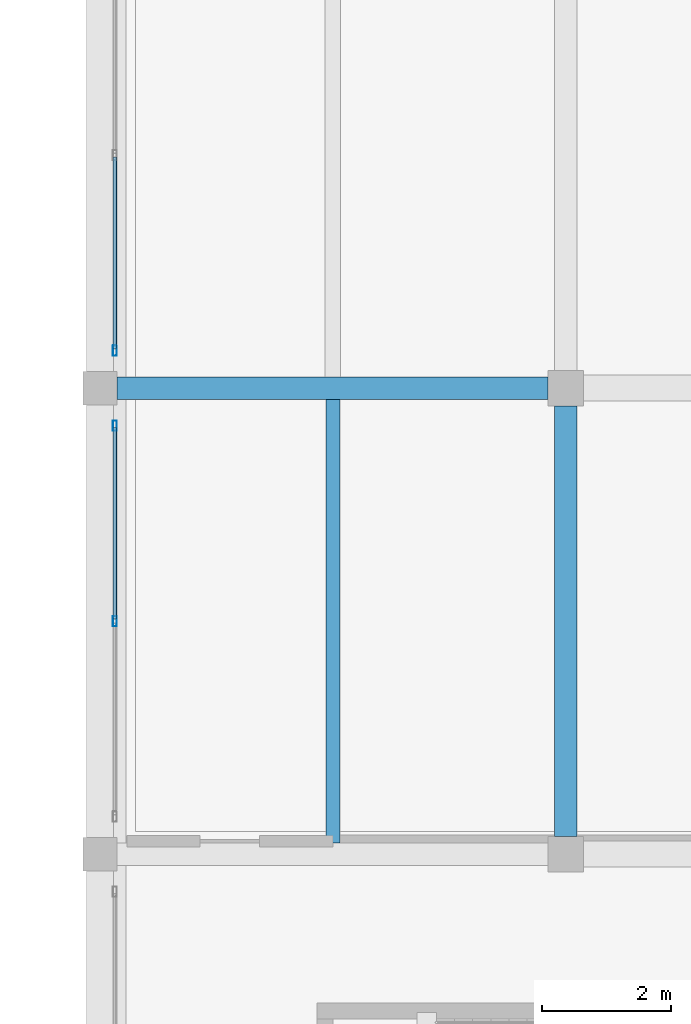
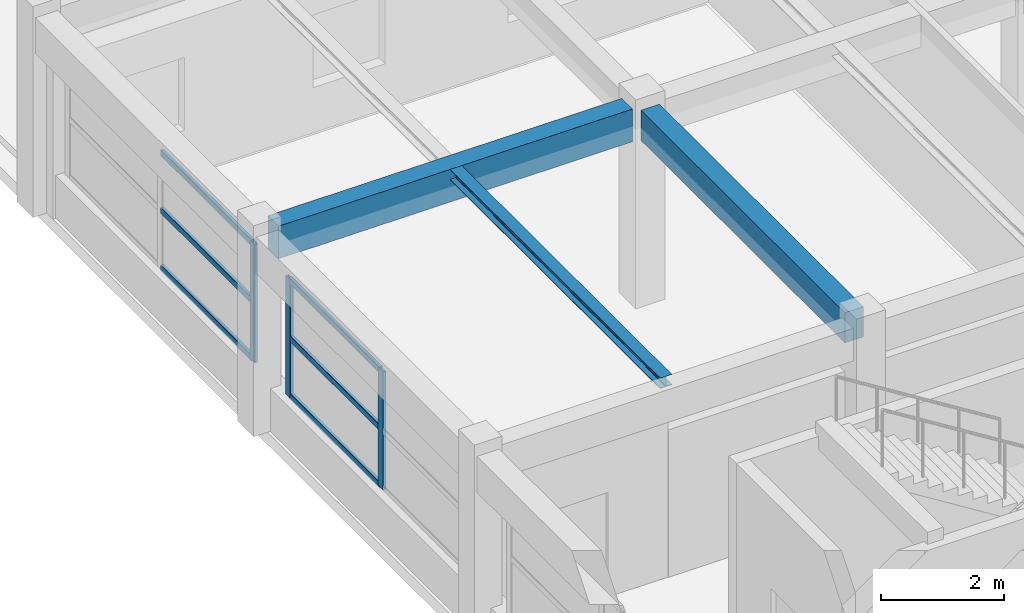
# One storey, part 36 of 67: 9 members, 3 beams, 2 elements without a shape of their own.
"""IFC4 building model written with IfcOpenShell, lengths in metres."""

from ifc_helpers import new_model, si_unit, direction, frame, origin, origin_2d, place, context, subcontext, project, spatial, rectangle, hollow_rectangle, i_section, extrude, material, material_profile, profile_set, type_object, element, aggregate, save


model = new_model("IFC4")

# Units and contexts
model_context = context("Model", 3, precision=1e-05, world=origin(), true_north=direction((0.0, 1.0)))
body_context = subcontext(model_context, "Body", "Model", "MODEL_VIEW")
ifc_project = project(units=[si_unit("LENGTHUNIT", "METRE"), si_unit("AREAUNIT", "SQUARE_METRE"), si_unit("VOLUMEUNIT", "CUBIC_METRE"), si_unit("PLANEANGLEUNIT", "RADIAN"), si_unit("MASSUNIT", "GRAM", prefix="KILO")], contexts=[model_context])

# Site, building, storey
site_placement = place(None, origin())
site = spatial("IfcSite", under=ifc_project, at=site_placement, CompositionType="ELEMENT")
building_placement = place(site_placement, origin())
building = spatial("IfcBuilding", under=site, at=building_placement, Name="Bramveld Media Centre", CompositionType="ELEMENT")
storey_placement = place(building_placement, frame((0.0, 0.0, 5.39990234375)))
storey = spatial("IfcBuildingStorey", under=building, at=storey_placement, Name="L01", CompositionType="ELEMENT", Elevation=5.39990234375)

# Beams
ifc_material_1 = material(Name="Concrete C40/50", Category="concrete")
ifc_material_profile_1 = material_profile(ifc_material_1, rectangle(XDim=0.35009765625, YDim=0.60009765625, at=origin_2d()), Name="RC 350x600")
ifc_profile_set_1 = profile_set([ifc_material_profile_1], Name="Concrete C40/50")
beam_type_1 = type_object("IfcBeamType", Name="BM-INT-RC-350x600", PredefinedType="BEAM", material=ifc_profile_set_1)
beam_1_placement = place(storey_placement, frame((138.39990234375, 46.675048828125, 3.66015625), z_axis=(0.0, 1.0, 0.0), x_axis=(-1.0, 0.0, 0.0)))
element("IfcBeam", 1, at=beam_1_placement, inside=storey, type_object=beam_type_1, Name="V4 L01 girder Y-540", PredefinedType="BEAM", context=body_context, shape_type="SweptSolid", body=[
    extrude(rectangle(XDim=0.35009765625, YDim=0.60009765625, at=origin_2d()), origin(), (0.0, 0.0, 1.0), 6.64990234375),
])
ifc_material_2 = material(Name="Concrete C40/50", Category="concrete")
ifc_material_profile_2 = material_profile(ifc_material_2, rectangle(XDim=0.35009765625, YDim=0.64990234375, at=origin_2d()), Name="RC 350x650")
ifc_profile_set_2 = profile_set([ifc_material_profile_2], Name="Concrete C40/50")
beam_type_2 = type_object("IfcBeamType", Name="BM-INT-RC-350x650", PredefinedType="BEAM", material=ifc_profile_set_2)
beam_2_placement = place(storey_placement, frame((131.4599609375, 53.60009765625, 3.635009765625), z_axis=(1.0, 0.0, 0.0), x_axis=(0.0, 1.0, 0.0)))
element("IfcBeam", 2, at=beam_2_placement, inside=storey, type_object=beam_type_2, Name="V4 L01 girder X-527", PredefinedType="BEAM", context=body_context, shape_type="SweptSolid", body=[
    extrude(rectangle(XDim=0.35009765625, YDim=0.64990234375, at=origin_2d()), origin(), (0.0, 0.0, 1.0), 6.6650390625),
])

# Curtain wall, members
ifc_material_3 = material(Name="Thermally broken anodized bronze aluminium unitized curtain wall with solar-control triple glazing", Category="aluminium")
curtain_wall_type = type_object("IfcCurtainWallType", Name="CW-FACV4-6100x2350", PredefinedType="NOTDEFINED", material=ifc_material_3)
curtain_wall_1_placement = place(storey_placement, origin())
curtain_wall_1 = element("IfcCurtainWall", 3, at=curtain_wall_1_placement, inside=storey, type_object=curtain_wall_type, Name="V4 L01 W curtain wall bay 2", PredefinedType="NOTDEFINED")
ifc_material_4 = material(Name="Thermally broken anodized bronze aluminium EN AW-6063 T6 curtain-wall framing", Category="aluminium")
ifc_material_profile_3 = material_profile(ifc_material_4, hollow_rectangle(XDim=0.06005859375, YDim=0.159912109375, WallThickness=0.00390625, InnerFilletRadius=0.00390625, OuterFilletRadius=0.008056640625, at=origin_2d()), Name="AL-MULL 60x160")
ifc_profile_set_3 = profile_set([ifc_material_profile_3], Name="Thermally broken anodized bronze aluminium EN AW-6063 T6 curtain-wall framing")
member_type_1 = type_object("IfcMemberType", Name="CW-MULL-EXT", PredefinedType="MULLION", material=ifc_profile_set_3)
member_1_placement = place(storey_placement, frame((131.429931640625, 50.0, 0.85009765625), z_axis=(0.0, 0.0, 1.0), x_axis=(-1.0, 0.0, 0.0)))
member_1 = element("IfcMember", 4, at=member_1_placement, type_object=member_type_1, Name="CW-FA-6123 mullion 2", PredefinedType="MULLION", context=body_context, shape_type="SweptSolid", body=[
    extrude(hollow_rectangle(XDim=0.06005859375, YDim=0.159912109375, WallThickness=0.00390625, InnerFilletRadius=0.00390625, OuterFilletRadius=0.008056640625, at=origin_2d()), origin(), (0.0, 0.0, 1.0), 2.35009765625),
])
member_2_placement = place(storey_placement, frame((131.429931640625, 53.02001953125, 0.85009765625), z_axis=(0.0, 0.0, 1.0), x_axis=(-1.0, 0.0, 0.0)))
member_2 = element("IfcMember", 5, at=member_2_placement, type_object=member_type_1, Name="CW-FA-6123 mullion 3", PredefinedType="MULLION", context=body_context, shape_type="SweptSolid", body=[
    extrude(hollow_rectangle(XDim=0.06005859375, YDim=0.159912109375, WallThickness=0.00390625, InnerFilletRadius=0.00390625, OuterFilletRadius=0.008056640625, at=origin_2d()), origin(), (0.0, 0.0, 1.0), 2.35009765625),
])

# Curtain wall, member
curtain_wall_2_placement = place(storey_placement, origin())
curtain_wall_2 = element("IfcCurtainWall", 6, at=curtain_wall_2_placement, inside=storey, type_object=curtain_wall_type, Name="V4 L01 W curtain wall bay 3", PredefinedType="NOTDEFINED")
member_3_placement = place(storey_placement, frame((131.429931640625, 54.179931640625, 0.85009765625), z_axis=(0.0, 0.0, 1.0), x_axis=(-1.0, 0.0, 0.0)))
member_3 = element("IfcMember", 7, at=member_3_placement, type_object=member_type_1, Name="CW-FA-6123 mullion 1", PredefinedType="MULLION", context=body_context, shape_type="SweptSolid", body=[
    extrude(hollow_rectangle(XDim=0.06005859375, YDim=0.159912109375, WallThickness=0.00390625, InnerFilletRadius=0.00390625, OuterFilletRadius=0.008056640625, at=origin_2d()), origin(), (0.0, 0.0, 1.0), 2.35009765625),
])

# Member
ifc_material_5 = material(Name="Thermally broken anodized bronze aluminium EN AW-6063 T6 curtain-wall framing", Category="aluminium")
ifc_material_profile_4 = material_profile(ifc_material_5, hollow_rectangle(XDim=0.06005859375, YDim=0.1201171875, WallThickness=0.00341796875, InnerFilletRadius=0.00341796875, OuterFilletRadius=0.007080078125, at=origin_2d()), Name="AL-TRAN 60x120")
ifc_profile_set_4 = profile_set([ifc_material_profile_4], Name="Thermally broken anodized bronze aluminium EN AW-6063 T6 curtain-wall framing")
member_type_2 = type_object("IfcMemberType", Name="CW-TRAN-EXT", PredefinedType="USERDEFINED", material=ifc_profile_set_4)
member_4_placement = place(storey_placement, frame((131.429931640625, 50.030029296875, 0.880126953125), z_axis=(0.0, 1.0, 0.0), x_axis=(-1.0, 0.0, 0.0)))
member_4 = element("IfcMember", 8, at=member_4_placement, type_object=member_type_2, Name="CW-FA-6123 transom 2.1", ObjectType="TRANSOM", PredefinedType="USERDEFINED", context=body_context, shape_type="SweptSolid", body=[
    extrude(hollow_rectangle(XDim=0.06005859375, YDim=0.1201171875, WallThickness=0.00341796875, InnerFilletRadius=0.00341796875, OuterFilletRadius=0.007080078125, at=origin_2d()), origin(), (0.0, 0.0, 1.0), 2.9599609375),
])

member_5_placement = place(storey_placement, frame((131.429931640625, 50.030029296875, 2.025146484375), z_axis=(0.0, 1.0, 0.0), x_axis=(-1.0, 0.0, 0.0)))
member_5 = element("IfcMember", 9, at=member_5_placement, type_object=member_type_2, Name="CW-FA-6123 transom 2.2", ObjectType="TRANSOM", PredefinedType="USERDEFINED", context=body_context, shape_type="SweptSolid", body=[
    extrude(hollow_rectangle(XDim=0.06005859375, YDim=0.1201171875, WallThickness=0.00341796875, InnerFilletRadius=0.00341796875, OuterFilletRadius=0.007080078125, at=origin_2d()), origin(), (0.0, 0.0, 1.0), 2.9599609375),
])

member_6_placement = place(storey_placement, frame((131.429931640625, 50.030029296875, 3.170166015625), z_axis=(0.0, 1.0, 0.0), x_axis=(-1.0, 0.0, 0.0)))
member_6 = element("IfcMember", 10, at=member_6_placement, type_object=member_type_2, Name="CW-FA-6123 transom 2.3", ObjectType="TRANSOM", PredefinedType="USERDEFINED", context=body_context, shape_type="SweptSolid", body=[
    extrude(hollow_rectangle(XDim=0.06005859375, YDim=0.1201171875, WallThickness=0.00341796875, InnerFilletRadius=0.00341796875, OuterFilletRadius=0.007080078125, at=origin_2d()), origin(), (0.0, 0.0, 1.0), 2.9599609375),
])

aggregate(curtain_wall_1, [member_1, member_2, member_4, member_5, member_6])

member_7_placement = place(storey_placement, frame((131.429931640625, 54.2099609375, 0.880126953125), z_axis=(0.0, 1.0, 0.0), x_axis=(-1.0, 0.0, 0.0)))
member_7 = element("IfcMember", 11, at=member_7_placement, type_object=member_type_2, Name="CW-FA-6123 transom 1.1", ObjectType="TRANSOM", PredefinedType="USERDEFINED", context=body_context, shape_type="SweptSolid", body=[
    extrude(hollow_rectangle(XDim=0.06005859375, YDim=0.1201171875, WallThickness=0.00341796875, InnerFilletRadius=0.00341796875, OuterFilletRadius=0.007080078125, at=origin_2d()), origin(), (0.0, 0.0, 1.0), 2.9599609375),
])

member_8_placement = place(storey_placement, frame((131.429931640625, 54.2099609375, 2.025146484375), z_axis=(0.0, 1.0, 0.0), x_axis=(-1.0, 0.0, 0.0)))
member_8 = element("IfcMember", 12, at=member_8_placement, type_object=member_type_2, Name="CW-FA-6123 transom 1.2", ObjectType="TRANSOM", PredefinedType="USERDEFINED", context=body_context, shape_type="SweptSolid", body=[
    extrude(hollow_rectangle(XDim=0.06005859375, YDim=0.1201171875, WallThickness=0.00341796875, InnerFilletRadius=0.00341796875, OuterFilletRadius=0.007080078125, at=origin_2d()), origin(), (0.0, 0.0, 1.0), 2.9599609375),
])

member_9_placement = place(storey_placement, frame((131.429931640625, 54.2099609375, 3.170166015625), z_axis=(0.0, 1.0, 0.0), x_axis=(-1.0, 0.0, 0.0)))
member_9 = element("IfcMember", 13, at=member_9_placement, type_object=member_type_2, Name="CW-FA-6123 transom 1.3", ObjectType="TRANSOM", PredefinedType="USERDEFINED", context=body_context, shape_type="SweptSolid", body=[
    extrude(hollow_rectangle(XDim=0.06005859375, YDim=0.1201171875, WallThickness=0.00341796875, InnerFilletRadius=0.00341796875, OuterFilletRadius=0.007080078125, at=origin_2d()), origin(), (0.0, 0.0, 1.0), 2.9599609375),
])

aggregate(curtain_wall_2, [member_3, member_7, member_8, member_9])

# Beam
ifc_material_6 = material(Name="Steel S355J2", Category="steel")
ifc_material_profile_5 = material_profile(ifc_material_6, i_section(OverallWidth=0.219970703125, OverallDepth=0.2099609375, WebThickness=0.007080078125, FlangeThickness=0.010986328125, FilletRadius=0.01806640625, at=origin_2d()), Name="HEA 220")
ifc_profile_set_5 = profile_set([ifc_material_profile_5], Name="Steel S355J2")
beam_type_3 = type_object("IfcBeamType", Name="SBM-INT-HEA-220", PredefinedType="BEAM", material=ifc_profile_set_5)
beam_3_placement = place(storey_placement, frame((134.800048828125, 46.574951171875, 3.85498046875), z_axis=(0.0, 1.0, 0.0), x_axis=(-1.0, 0.0, 0.0)))
element("IfcBeam", 14, at=beam_3_placement, inside=storey, type_object=beam_type_3, Name="V4 L01 secondary floor joist 553", PredefinedType="BEAM", context=body_context, shape_type="SweptSolid", body=[
    extrude(i_section(OverallWidth=0.219970703125, OverallDepth=0.2099609375, WebThickness=0.007080078125, FlangeThickness=0.010986328125, FilletRadius=0.01806640625, at=origin_2d()), origin(), (0.0, 0.0, 1.0), 6.85009765625),
])

save(model, "model.ifc")
